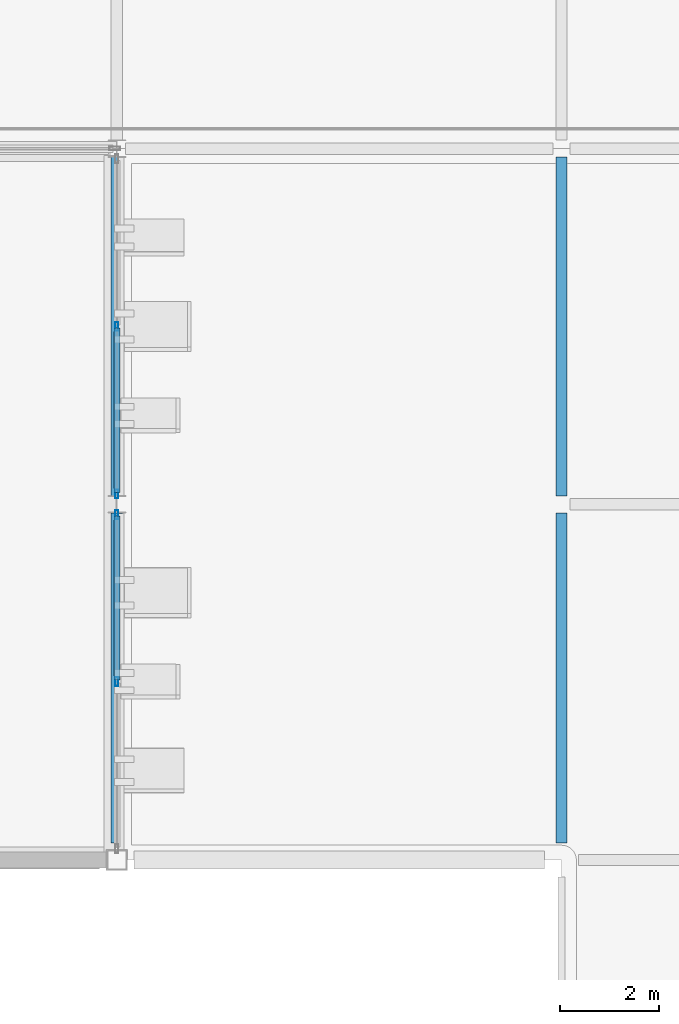
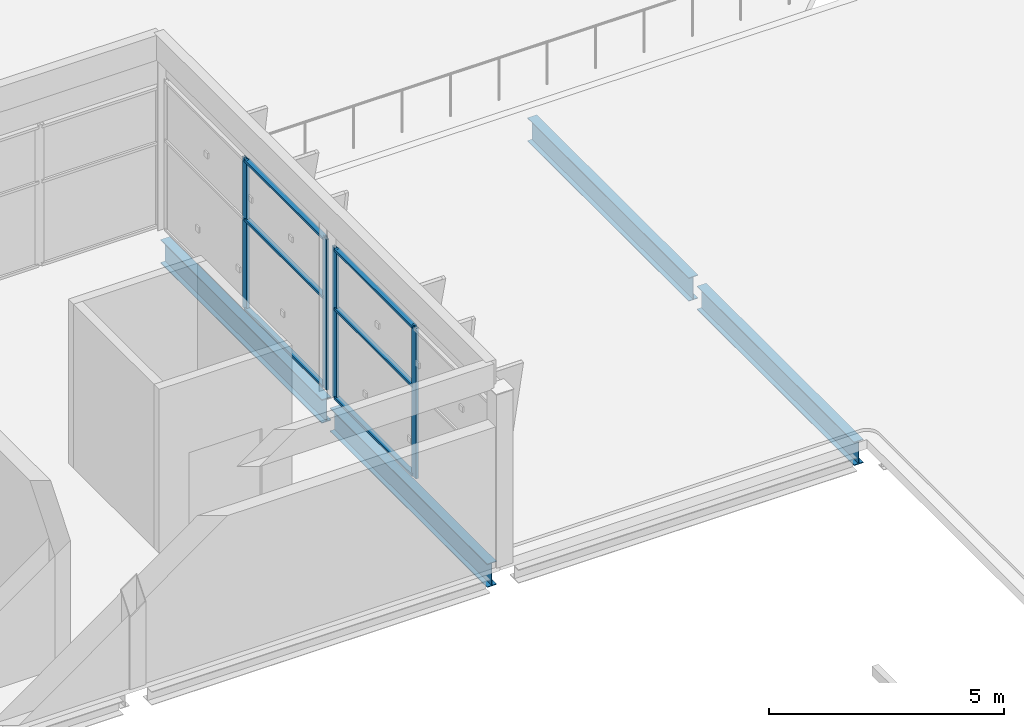
# One storey, part 35 of 78: 10 members, 4 beams, 2 elements without a shape of their own.
"""IFC4 building model written with IfcOpenShell, lengths in metres."""

from ifc_helpers import new_model, si_unit, direction, frame, origin, origin_2d, place, context, subcontext, project, spatial, hollow_rectangle, i_section, extrude, material, layer, layer_set, material_profile, profile_set, type_object, element, aggregate, save


model = new_model("IFC4")

# Units and contexts
model_context = context("Model", 3, precision=1e-05, world=origin(), true_north=direction((0.0, 1.0)))
body_context = subcontext(model_context, "Body", "Model", "MODEL_VIEW")
ifc_project = project(units=[si_unit("LENGTHUNIT", "METRE"), si_unit("AREAUNIT", "SQUARE_METRE"), si_unit("VOLUMEUNIT", "CUBIC_METRE"), si_unit("PLANEANGLEUNIT", "RADIAN"), si_unit("MASSUNIT", "GRAM", prefix="KILO")], contexts=[model_context])

# Site, building, storey
site_placement = place(None, origin())
site = spatial("IfcSite", under=ifc_project, at=site_placement, CompositionType="ELEMENT")
building_placement = place(site_placement, origin())
building = spatial("IfcBuilding", under=site, at=building_placement, Name="Celestram Park Convention Centre", CompositionType="ELEMENT")
storey_placement = place(building_placement, frame((0.0, 0.0, 19.800048828125)))
storey = spatial("IfcBuildingStorey", under=building, at=storey_placement, Name="L04", CompositionType="ELEMENT", Elevation=19.800048828125)

# Curtain wall, members
ifc_material_1 = material(Name="Anodised Aluminium Alloy 6063-T6", Category="aluminium")
ifc_layer_1 = layer(ifc_material_1, 0.179931640625)
ifc_layer_set_1 = layer_set([ifc_layer_1], Name="Anodised Aluminium Alloy 6063-T6")
curtain_wall_type_1 = type_object("IfcCurtainWallType", Name="ARC-CW-685X390", PredefinedType="NOTDEFINED", material=ifc_layer_set_1)
curtain_wall_1_placement = place(storey_placement, origin())
curtain_wall_1 = element("IfcCurtainWall", 1, at=curtain_wall_1_placement, inside=storey, type_object=curtain_wall_type_1, Name="Unitised curtain wall CU-L04-227", PredefinedType="NOTDEFINED")
ifc_material_profile_1 = material_profile(ifc_material_1, hollow_rectangle(XDim=0.06494140625, YDim=0.179931640625, WallThickness=0.00390625, at=origin_2d()), Name="ALU65X180X4")
ifc_profile_set_1 = profile_set([ifc_material_profile_1], Name="Anodised Aluminium Alloy 6063-T6")
member_type_1 = type_object("IfcMemberType", Name="ARC-CWM-150", PredefinedType="MULLION", material=ifc_profile_set_1)
member_1_placement = place(storey_placement, frame((117.0, 118.800048828125, 0.0), z_axis=(0.0, 0.0, 1.0), x_axis=(1.0, 0.0, 0.0)))
member_1 = element("IfcMember", 2, at=member_1_placement, type_object=member_type_1, Name="CW-68X39 mullion 2", PredefinedType="MULLION", context=body_context, shape_type="SweptSolid", body=[
    extrude(hollow_rectangle(XDim=0.06494140625, YDim=0.179931640625, WallThickness=0.00390625, at=origin_2d()), origin(), (0.0, 0.0, 1.0), 3.904052734375),
])
member_2_placement = place(storey_placement, frame((117.0, 115.408447265625, 0.0), z_axis=(0.0, 0.0, 1.0), x_axis=(1.0, 0.0, 0.0)))
member_2 = element("IfcMember", 3, at=member_2_placement, type_object=member_type_1, Name="CW-68X39 mullion 3", PredefinedType="MULLION", context=body_context, shape_type="SweptSolid", body=[
    extrude(hollow_rectangle(XDim=0.06494140625, YDim=0.179931640625, WallThickness=0.00390625, at=origin_2d()), origin(), (0.0, 0.0, 1.0), 3.904052734375),
])

ifc_layer_2 = layer(ifc_material_1, 0.179931640625)
ifc_layer_set_2 = layer_set([ifc_layer_2], Name="Anodised Aluminium Alloy 6063-T6")
curtain_wall_type_2 = type_object("IfcCurtainWallType", Name="ARC-CW-683X390", PredefinedType="NOTDEFINED", material=ifc_layer_set_2)
curtain_wall_2_placement = place(storey_placement, origin())
curtain_wall_2 = element("IfcCurtainWall", 4, at=curtain_wall_2_placement, inside=storey, type_object=curtain_wall_type_2, Name="Unitised curtain wall CU-L04-228", PredefinedType="NOTDEFINED")
member_3_placement = place(storey_placement, frame((117.0, 114.991455078125, 0.0), z_axis=(0.0, 0.0, 1.0), x_axis=(1.0, 0.0, 0.0)))
member_3 = element("IfcMember", 5, at=member_3_placement, type_object=member_type_1, Name="CW-68X39 mullion 1", PredefinedType="MULLION", context=body_context, shape_type="SweptSolid", body=[
    extrude(hollow_rectangle(XDim=0.06494140625, YDim=0.179931640625, WallThickness=0.00390625, at=origin_2d()), origin(), (0.0, 0.0, 1.0), 3.904052734375),
])
member_4_placement = place(storey_placement, frame((117.0, 111.611083984375, 0.0), z_axis=(0.0, 0.0, 1.0), x_axis=(1.0, 0.0, 0.0)))
member_4 = element("IfcMember", 6, at=member_4_placement, type_object=member_type_1, Name="CW-68X39 mullion 2", PredefinedType="MULLION", context=body_context, shape_type="SweptSolid", body=[
    extrude(hollow_rectangle(XDim=0.06494140625, YDim=0.179931640625, WallThickness=0.00390625, at=origin_2d()), origin(), (0.0, 0.0, 1.0), 3.904052734375),
])

# Member
ifc_material_profile_2 = material_profile(ifc_material_1, hollow_rectangle(XDim=0.1201171875, YDim=0.06005859375, WallThickness=0.0029296875, at=origin_2d()), Name="ALU120X60X3")
ifc_profile_set_2 = profile_set([ifc_material_profile_2], Name="Anodised Aluminium Alloy 6063-T6")
member_type_2 = type_object("IfcMemberType", Name="ARC-CWT-120", PredefinedType="USERDEFINED", material=ifc_profile_set_2)
member_5_placement = place(storey_placement, frame((117.0, 118.767578125, 0.030029296875), z_axis=(0.0, -1.0, 0.0), x_axis=(1.0, 0.0, 0.0)))
member_5 = element("IfcMember", 7, at=member_5_placement, type_object=member_type_2, Name="CW-68X39 transom 2.1", ObjectType="TRANSOM", PredefinedType="USERDEFINED", context=body_context, shape_type="SweptSolid", body=[
    extrude(hollow_rectangle(XDim=0.1201171875, YDim=0.06005859375, WallThickness=0.0029296875, at=origin_2d()), origin(), (0.0, 0.0, 1.0), 3.32666015625),
])

member_6_placement = place(storey_placement, frame((117.0, 118.767578125, 2.342041015625), z_axis=(0.0, -1.0, 0.0), x_axis=(1.0, 0.0, 0.0)))
member_6 = element("IfcMember", 8, at=member_6_placement, type_object=member_type_2, Name="CW-68X39 transom 2.2", ObjectType="TRANSOM", PredefinedType="USERDEFINED", context=body_context, shape_type="SweptSolid", body=[
    extrude(hollow_rectangle(XDim=0.1201171875, YDim=0.06005859375, WallThickness=0.0029296875, at=origin_2d()), origin(), (0.0, 0.0, 1.0), 3.32666015625),
])

member_7_placement = place(storey_placement, frame((117.0, 118.767578125, 3.8740234375), z_axis=(0.0, -1.0, 0.0), x_axis=(1.0, 0.0, 0.0)))
member_7 = element("IfcMember", 9, at=member_7_placement, type_object=member_type_2, Name="CW-68X39 transom 2.3", ObjectType="TRANSOM", PredefinedType="USERDEFINED", context=body_context, shape_type="SweptSolid", body=[
    extrude(hollow_rectangle(XDim=0.1201171875, YDim=0.06005859375, WallThickness=0.0029296875, at=origin_2d()), origin(), (0.0, 0.0, 1.0), 3.32666015625),
])

aggregate(curtain_wall_1, [member_1, member_2, member_5, member_6, member_7])

member_8_placement = place(storey_placement, frame((117.0, 114.958984375, 0.030029296875), z_axis=(0.0, -1.0, 0.0), x_axis=(1.0, 0.0, 0.0)))
member_8 = element("IfcMember", 10, at=member_8_placement, type_object=member_type_2, Name="CW-68X39 transom 1.1", ObjectType="TRANSOM", PredefinedType="USERDEFINED", context=body_context, shape_type="SweptSolid", body=[
    extrude(hollow_rectangle(XDim=0.1201171875, YDim=0.06005859375, WallThickness=0.0029296875, at=origin_2d()), origin(), (0.0, 0.0, 1.0), 3.3154296875),
])

member_9_placement = place(storey_placement, frame((117.0, 114.958984375, 2.342041015625), z_axis=(0.0, -1.0, 0.0), x_axis=(1.0, 0.0, 0.0)))
member_9 = element("IfcMember", 11, at=member_9_placement, type_object=member_type_2, Name="CW-68X39 transom 1.2", ObjectType="TRANSOM", PredefinedType="USERDEFINED", context=body_context, shape_type="SweptSolid", body=[
    extrude(hollow_rectangle(XDim=0.1201171875, YDim=0.06005859375, WallThickness=0.0029296875, at=origin_2d()), origin(), (0.0, 0.0, 1.0), 3.3154296875),
])

member_10_placement = place(storey_placement, frame((117.0, 114.958984375, 3.8740234375), z_axis=(0.0, -1.0, 0.0), x_axis=(1.0, 0.0, 0.0)))
member_10 = element("IfcMember", 12, at=member_10_placement, type_object=member_type_2, Name="CW-68X39 transom 1.3", ObjectType="TRANSOM", PredefinedType="USERDEFINED", context=body_context, shape_type="SweptSolid", body=[
    extrude(hollow_rectangle(XDim=0.1201171875, YDim=0.06005859375, WallThickness=0.0029296875, at=origin_2d()), origin(), (0.0, 0.0, 1.0), 3.3154296875),
])

aggregate(curtain_wall_2, [member_3, member_4, member_8, member_9, member_10])

# Beams
ifc_material_2 = material(Name="Steel ASTM A992 Grade 50", Category="steel")
ifc_material_profile_3 = material_profile(ifc_material_2, i_section(OverallWidth=0.22900390625, OverallDepth=0.612060546875, WebThickness=0.011962890625, FlangeThickness=0.01953125, at=origin_2d()), Name="W24X84")
ifc_profile_set_3 = profile_set([ifc_material_profile_3], Name="Steel ASTM A992 Grade 50")
beam_type = type_object("IfcBeamType", Name="STR-BM-W24X84", PredefinedType="BEAM", material=ifc_profile_set_3)
beam_1_placement = place(storey_placement, frame((117.0, 108.347900390625, -0.55615234375), z_axis=(0.0, 1.0, 0.0), x_axis=(-1.0, 0.0, 0.0)))
element("IfcBeam", 13, at=beam_1_placement, inside=storey, type_object=beam_type, Name="Primary Y-girder BG-L04-0132", PredefinedType="BEAM", context=body_context, shape_type="SweptSolid", body=[
    extrude(i_section(OverallWidth=0.22900390625, OverallDepth=0.612060546875, WebThickness=0.011962890625, FlangeThickness=0.01953125, at=origin_2d()), origin(), (0.0, 0.0, 1.0), 6.67919921875),
])
beam_2_placement = place(storey_placement, frame((117.0, 115.373046875, -0.55615234375), z_axis=(0.0, 1.0, 0.0), x_axis=(-1.0, 0.0, 0.0)))
element("IfcBeam", 14, at=beam_2_placement, inside=storey, type_object=beam_type, Name="Primary Y-girder BG-L04-0133", PredefinedType="BEAM", context=body_context, shape_type="SweptSolid", body=[
    extrude(i_section(OverallWidth=0.22900390625, OverallDepth=0.612060546875, WebThickness=0.011962890625, FlangeThickness=0.01953125, at=origin_2d()), origin(), (0.0, 0.0, 1.0), 6.85400390625),
])
beam_3_placement = place(storey_placement, frame((126.0, 108.347900390625, -0.546142578125), z_axis=(0.0, 1.0, 0.0), x_axis=(-1.0, 0.0, 0.0)))
element("IfcBeam", 15, at=beam_3_placement, inside=storey, type_object=beam_type, Name="Primary Y-girder BG-L04-0163", PredefinedType="BEAM", context=body_context, shape_type="SweptSolid", body=[
    extrude(i_section(OverallWidth=0.22900390625, OverallDepth=0.612060546875, WebThickness=0.011962890625, FlangeThickness=0.01953125, at=origin_2d()), origin(), (0.0, 0.0, 1.0), 6.67919921875),
])
beam_4_placement = place(storey_placement, frame((126.0, 115.373046875, -0.546142578125), z_axis=(0.0, 1.0, 0.0), x_axis=(-1.0, 0.0, 0.0)))
element("IfcBeam", 16, at=beam_4_placement, inside=storey, type_object=beam_type, Name="Primary Y-girder BG-L04-0165", PredefinedType="BEAM", context=body_context, shape_type="SweptSolid", body=[
    extrude(i_section(OverallWidth=0.22900390625, OverallDepth=0.612060546875, WebThickness=0.011962890625, FlangeThickness=0.01953125, at=origin_2d()), origin(), (0.0, 0.0, 1.0), 6.85400390625),
])

save(model, "model.ifc")
